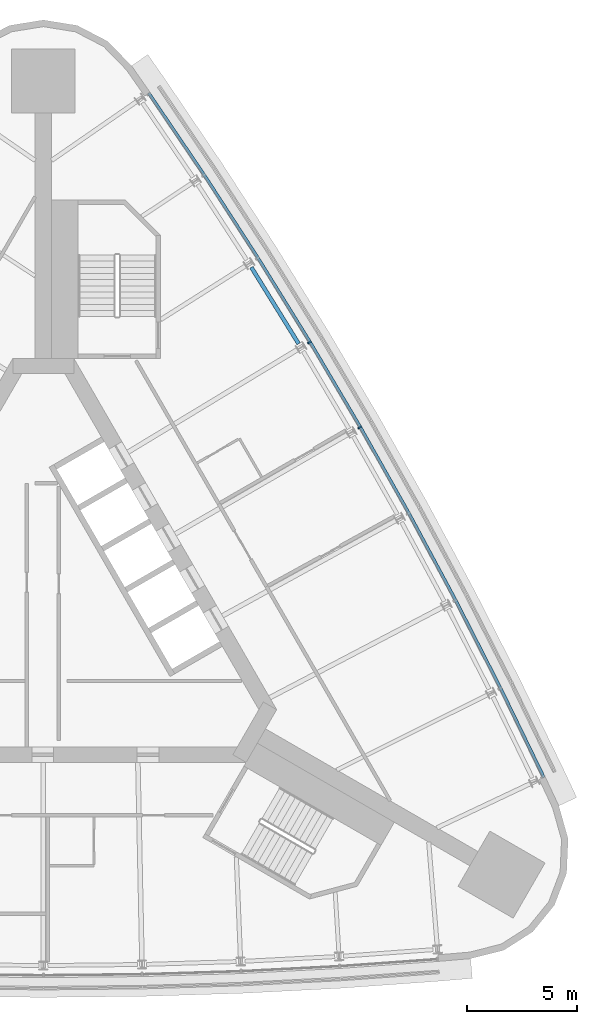
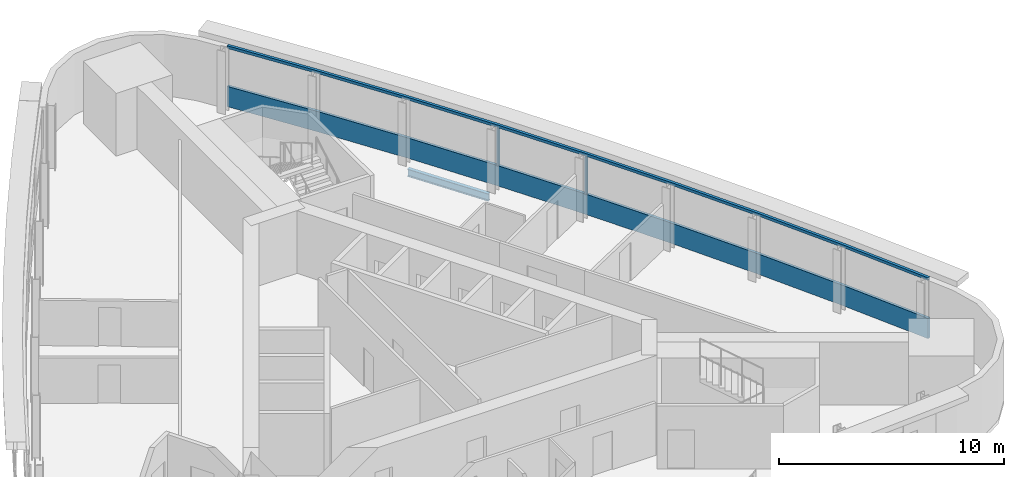
# One storey, part 6 of 13: 4 members, 1 beam, 1 element without a shape of its own.
"""IFC4 building model written with IfcOpenShell, lengths in metres."""

from ifc_helpers import new_model, si_unit, direction, frame, origin, origin_2d, place, context, subcontext, project, spatial, polyline, rectangle, i_section, outline, extrude, material, material_profile, profile_set, type_object, element, aggregate, save


model = new_model("IFC4")

# Units and contexts
model_context = context("Model", 3, precision=1e-05, world=origin(), true_north=direction((0.0, 1.0)))
body_context = subcontext(model_context, "Body", "Model", "MODEL_VIEW")
ifc_project = project(units=[si_unit("LENGTHUNIT", "METRE"), si_unit("AREAUNIT", "SQUARE_METRE"), si_unit("VOLUMEUNIT", "CUBIC_METRE"), si_unit("PLANEANGLEUNIT", "RADIAN"), si_unit("MASSUNIT", "GRAM", prefix="KILO")], contexts=[model_context])

# Site, building, storey
site_placement = place(None, origin())
site = spatial("IfcSite", under=ifc_project, at=site_placement, CompositionType="ELEMENT")
building_placement = place(site_placement, origin())
building = spatial("IfcBuilding", under=site, at=building_placement, Name="Noor Cloister Tower", CompositionType="ELEMENT")
storey_placement = place(building_placement, frame((0.0, 0.0, 147.300048828125)))
storey = spatial("IfcBuildingStorey", under=building, at=storey_placement, Name="L37", CompositionType="ELEMENT", Elevation=147.300048828125)

# Curtain wall, members
ifc_material_1 = material(Name="Aluminium 6063-T6 anodised", Category="aluminium")
curtain_wall_type = type_object("IfcCurtainWallType", Name="Ribbon curtain wall, upper tower CW5", PredefinedType="NOTDEFINED", material=ifc_material_1)
curtain_wall_placement = place(storey_placement, origin())
curtain_wall = element("IfcCurtainWall", 1, at=curtain_wall_placement, inside=storey, type_object=curtain_wall_type, Name="CW5 L37 NE run 3", PredefinedType="NOTDEFINED")
ifc_material_2 = material(Name="Aluminium 6063-T6 anodised", Category="aluminium")
member_type_1 = type_object("IfcMemberType", Name="Head transom CW5 150", PredefinedType="USERDEFINED", material=ifc_material_2)
member_1_placement = place(storey_placement, frame((0.0, 0.0, 3.14990234375)))
member_1 = element("IfcMember", 2, at=member_1_placement, type_object=member_type_1, Name="CW5 head transom", ObjectType="TRANSOM", PredefinedType="USERDEFINED", context=body_context, shape_type="SweptSolid", body=[
    extrude(outline(polyline([(22.833251953125, -7.57861328125), (20.868408203125, -3.5302734375), (18.821044921875, 0.47705078125), (16.69189453125, 4.44140625), (14.482177734375, 8.361328125), (12.1923828125, 12.235107421875), (9.823486328125, 16.06103515625), (7.376953125, 19.837646484375), (4.853271484375, 23.5634765625), (4.7373046875, 23.48486328125), (7.26025390625, 19.76025390625), (9.705322265625, 15.986083984375), (12.072509765625, 12.16259765625), (14.36083984375, 8.291259765625), (16.5693359375, 4.373779296875), (18.697021484375, 0.411865234375), (20.7431640625, -3.5927734375), (22.707275390625, -7.6396484375), (22.833251953125, -7.57861328125)])), origin(), (0.0, 0.0, 1.0), 0.150146484375),
])
ifc_material_3 = material(Name="Aluminium 6063-T6 anodised", Category="aluminium")
ifc_material_profile_1 = material_profile(ifc_material_3, rectangle(XDim=0.179931640625, YDim=0.070068359375, at=origin_2d()), Name="180 x 70 mullion")
ifc_profile_set_1 = profile_set([ifc_material_profile_1], Name="Aluminium 6063-T6 anodised")
member_type_2 = type_object("IfcMemberType", Name="Mullion CW5 70 x 180", PredefinedType="MULLION", material=ifc_profile_set_1)
member_2_placement = place(storey_placement, frame((14.3955078125, 8.311279296875, 1.099853515625), z_axis=(0.0, 0.0, 1.0), x_axis=(-0.866025403784, -0.5, 0.0)))
member_2 = element("IfcMember", 3, at=member_2_placement, type_object=member_type_2, Name="CW5 mullion 5", PredefinedType="MULLION", context=body_context, shape_type="SweptSolid", body=[
    extrude(rectangle(XDim=0.179931640625, YDim=0.070068359375, at=origin_2d()), origin(), (0.0, 0.0, 1.0), 2.050048828125),
])
member_3_placement = place(storey_placement, frame((12.106689453125, 12.183349609375, 1.099853515625), z_axis=(0.0, 0.0, 1.0), x_axis=(-0.855592397057, -0.517650123248, 0.0)))
member_3 = element("IfcMember", 4, at=member_3_placement, type_object=member_type_2, Name="CW5 mullion 6", PredefinedType="MULLION", context=body_context, shape_type="SweptSolid", body=[
    extrude(rectangle(XDim=0.179931640625, YDim=0.070068359375, at=origin_2d()), origin(), (0.0, 0.0, 1.0), 2.050048828125),
])
ifc_material_4 = material(Name="Aluminium 6063-T6 anodised", Category="aluminium")
member_type_3 = type_object("IfcMemberType", Name="Sill transom CW5 1100", PredefinedType="USERDEFINED", material=ifc_material_4)
member_4_placement = place(storey_placement, origin())
member_4 = element("IfcMember", 5, at=member_4_placement, type_object=member_type_3, Name="CW5 sill transom", ObjectType="TRANSOM", PredefinedType="USERDEFINED", context=body_context, shape_type="SweptSolid", body=[
    extrude(outline(polyline([(22.833251953125, -7.57861328125), (20.868408203125, -3.5302734375), (18.821044921875, 0.47705078125), (16.69189453125, 4.44140625), (14.482177734375, 8.361328125), (12.1923828125, 12.235107421875), (9.823486328125, 16.06103515625), (7.376953125, 19.837646484375), (4.853271484375, 23.5634765625), (4.7373046875, 23.48486328125), (7.26025390625, 19.76025390625), (9.705322265625, 15.986083984375), (12.072509765625, 12.16259765625), (14.36083984375, 8.291259765625), (16.5693359375, 4.373779296875), (18.697021484375, 0.411865234375), (20.7431640625, -3.5927734375), (22.707275390625, -7.6396484375), (22.833251953125, -7.57861328125)])), origin(), (0.0, 0.0, 1.0), 1.099853515625),
])
aggregate(curtain_wall, [member_2, member_3, member_4, member_1])

# Beam
ifc_material_5 = material(Name="Steel ASTM A992 Gr 50", Category="steel")
ifc_material_profile_2 = material_profile(ifc_material_5, i_section(OverallWidth=0.177978515625, OverallDepth=0.406005859375, WebThickness=0.0078125, FlangeThickness=0.0126953125, FilletRadius=0.01025390625, at=origin_2d()), Name="W410x60")
ifc_profile_set_2 = profile_set([ifc_material_profile_2], Name="Steel ASTM A992 Gr 50")
beam_type = type_object("IfcBeamType", Name="Spandrel beam W410x60", PredefinedType="SPANDREL", material=ifc_profile_set_2)
beam_placement = place(storey_placement, frame((11.61669921875, 12.119873046875, -0.403076171875), z_axis=(-0.526393660697, 0.850240974065, 0.0), x_axis=(-0.850240974065, -0.526393660697, 0.0)))
element("IfcBeam", 6, at=beam_placement, inside=storey, type_object=beam_type, Name="Spandrel beam NE 06 L37", PredefinedType="SPANDREL", context=body_context, shape_type="SweptSolid", body=[
    extrude(i_section(OverallWidth=0.177978515625, OverallDepth=0.406005859375, WebThickness=0.0078125, FlangeThickness=0.0126953125, FilletRadius=0.01025390625, at=origin_2d()), origin(), (0.0, 0.0, 1.0), 4.08984375),
])

save(model, "model.ifc")
